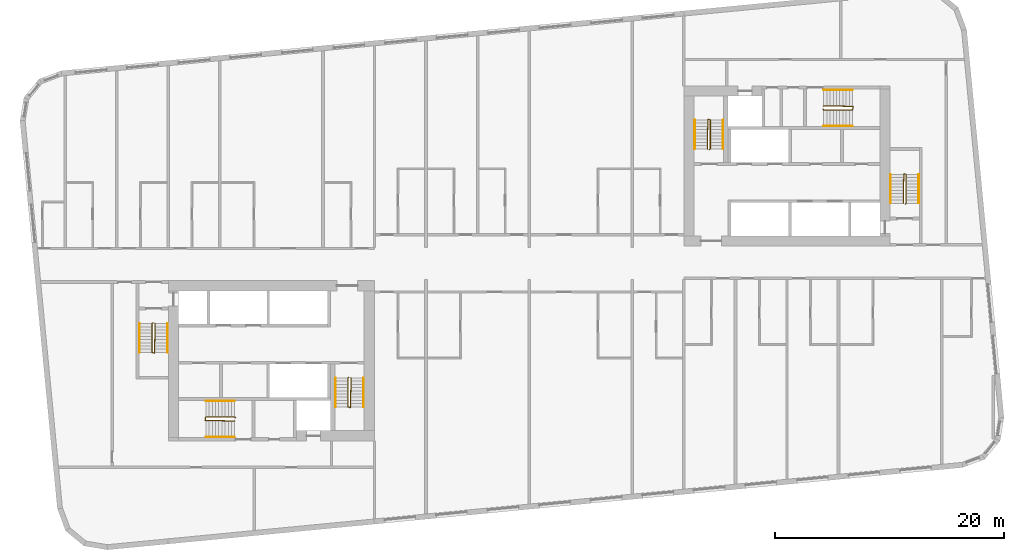
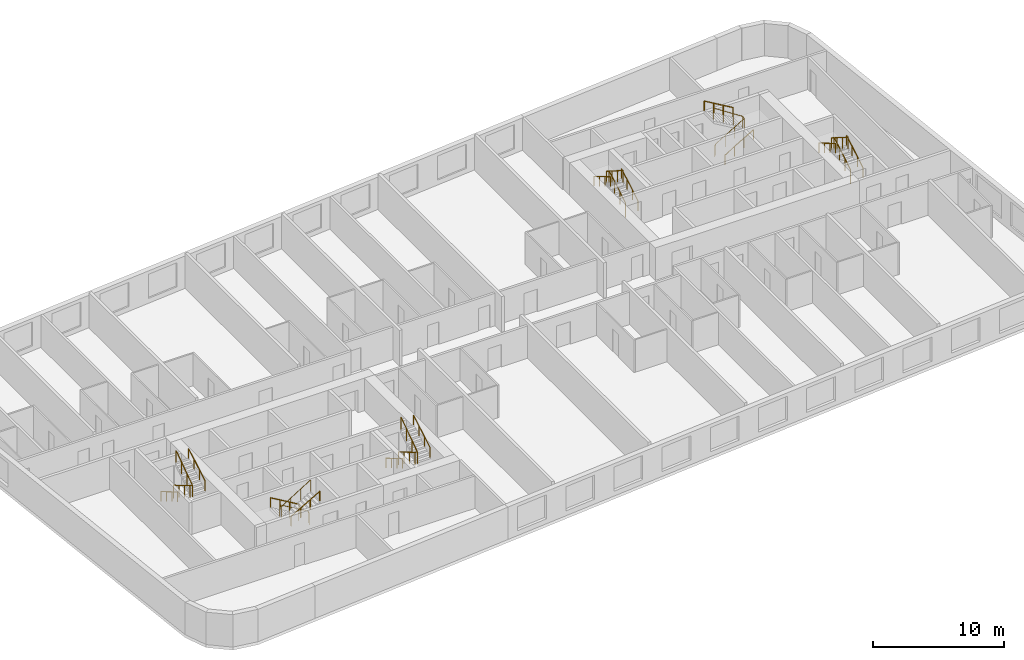
# One storey, part 12 of 12: 18 railings.
"""IFC4 building model written with IfcOpenShell, lengths in metres."""

from ifc_helpers import new_model, si_unit, direction, frame, origin, origin_2d, place, context, subcontext, project, spatial, circle, extrude, material, type_object, element, save


model = new_model("IFC4")

# Units and contexts
model_context = context("Model", 3, precision=1e-05, world=origin(), true_north=direction((0.0, 1.0)))
body_context = subcontext(model_context, "Body", "Model", "MODEL_VIEW")
ifc_project = project(units=[si_unit("LENGTHUNIT", "METRE"), si_unit("AREAUNIT", "SQUARE_METRE"), si_unit("VOLUMEUNIT", "CUBIC_METRE"), si_unit("PLANEANGLEUNIT", "RADIAN"), si_unit("MASSUNIT", "GRAM", prefix="KILO")], contexts=[model_context])

# Site, building, storey
site_placement = place(None, origin())
site = spatial("IfcSite", under=ifc_project, at=site_placement, CompositionType="ELEMENT")
building_placement = place(site_placement, origin())
building = spatial("IfcBuilding", under=site, at=building_placement, Name="Kajstack Hotel Tower", CompositionType="ELEMENT")
storey_placement = place(building_placement, frame((0.0, 0.0, 173.5)))
storey = spatial("IfcBuildingStorey", under=building, at=storey_placement, Name="L40", CompositionType="ELEMENT", Elevation=173.5)

# Railings
ifc_material = material(Name="Steel S355J2", Category="steel")
railing_type_1 = type_object("IfcRailingType", Name="Stair guard 1100", PredefinedType="GUARDRAIL", material=ifc_material)
railing_1_placement = place(storey_placement, frame((-32.85009765625, -5.199951171875, 0.0)))
element("IfcRailing", 1, at=railing_1_placement, inside=storey, type_object=railing_type_1, Name="L40 W1 stair guard 1", PredefinedType="GUARDRAIL", context=body_context, shape_type="SweptSolid", body=[
    extrude(circle(Radius=0.02392578125, at=origin_2d()), frame((0.0, 0.0, 1.076171875), z_axis=(-0.277450376394, -0.278810427259, 0.919394384522), x_axis=(0.708833529934, -0.705375805398, 0.0)), (0.0, 0.0, 1.0), 0.179443359375),
    extrude(circle(Radius=0.02392578125, at=origin_2d()), frame((-0.0498046875, -0.050048828125, 1.2412109375), z_axis=(0.0, -0.861560626758, 0.507654692109), x_axis=(1.0, 0.0, 0.0)), (0.0, 0.0, 1.0), 2.925048828125),
    extrude(circle(Radius=0.02392578125, at=origin_2d()), frame((-0.0498046875, -2.570068359375, 2.72607421875), z_axis=(0.970072785993, -0.242814311512, 0.0), x_axis=(0.242814311512, 0.970072785993, 0.0)), (0.0, 0.0, 1.0), 0.2060546875),
    extrude(circle(Radius=0.02392578125, at=origin_2d()), frame((0.150146484375, -2.6201171875, 2.72607421875), z_axis=(0.016384601254, 0.84136925563, 0.540212292087), x_axis=(-0.999810440751, 0.019470042781, 0.0)), (0.0, 0.0, 1.0), 3.0546875),
    extrude(circle(Radius=0.02099609375, at=origin_2d()), origin(), (0.0, 0.0, 1.0), 1.052001953125),
    extrude(circle(Radius=0.02099609375, at=origin_2d()), frame((-0.0498046875, -0.050048828125, 0.1650390625)), (0.0, 0.0, 1.0), 1.052001953125),
    extrude(circle(Radius=0.02099609375, at=origin_2d()), frame((-0.0498046875, -0.89013671875, 0.659912109375)), (0.0, 0.0, 1.0), 1.052001953125),
    extrude(circle(Radius=0.02099609375, at=origin_2d()), frame((-0.0498046875, -1.72998046875, 1.155029296875)), (0.0, 0.0, 1.0), 1.052001953125),
    extrude(circle(Radius=0.02099609375, at=origin_2d()), frame((-0.0498046875, -2.570068359375, 1.64990234375)), (0.0, 0.0, 1.0), 1.052001953125),
    extrude(circle(Radius=0.02099609375, at=origin_2d()), frame((0.150146484375, -2.6201171875, 1.64990234375)), (0.0, 0.0, 1.0), 1.052001953125),
    extrude(circle(Radius=0.02099609375, at=origin_2d()), frame((0.166748046875, -1.763427734375, 2.199951171875)), (0.0, 0.0, 1.0), 1.052001953125),
    extrude(circle(Radius=0.02099609375, at=origin_2d()), frame((0.18359375, -0.90673828125, 2.75)), (0.0, 0.0, 1.0), 1.052001953125),
    extrude(circle(Radius=0.02099609375, at=origin_2d()), frame((0.2001953125, -0.050048828125, 3.300048828125)), (0.0, 0.0, 1.0), 1.052001953125),
])
railing_2_placement = place(storey_placement, frame((-15.75, -9.949951171875, 0.0)))
element("IfcRailing", 2, at=railing_2_placement, inside=storey, type_object=railing_type_1, Name="L40 W2 stair guard 1", PredefinedType="GUARDRAIL", context=body_context, shape_type="SweptSolid", body=[
    extrude(circle(Radius=0.02392578125, at=origin_2d()), frame((0.0, 0.0, 1.076171875), z_axis=(-0.278705021027, -0.278705021027, 0.919046801044), x_axis=(0.707106781187, -0.707106781187, 0.0)), (0.0, 0.0, 1.0), 0.1796875),
    extrude(circle(Radius=0.02392578125, at=origin_2d()), frame((-0.050048828125, -0.050048828125, 1.2412109375), z_axis=(0.0, -0.861560626758, 0.507654692109), x_axis=(1.0, 0.0, 0.0)), (0.0, 0.0, 1.0), 2.925048828125),
    extrude(circle(Radius=0.02392578125, at=origin_2d()), frame((-0.050048828125, -2.570068359375, 2.72607421875), z_axis=(0.970072785993, -0.242814311512, 0.0), x_axis=(0.242814311512, 0.970072785993, 0.0)), (0.0, 0.0, 1.0), 0.2060546875),
    extrude(circle(Radius=0.02392578125, at=origin_2d()), frame((0.14990234375, -2.6201171875, 2.72607421875), z_axis=(0.016384601254, 0.84136925563, 0.540212292087), x_axis=(-0.999810440751, 0.019470042781, 0.0)), (0.0, 0.0, 1.0), 3.0546875),
    extrude(circle(Radius=0.02099609375, at=origin_2d()), origin(), (0.0, 0.0, 1.0), 1.052001953125),
    extrude(circle(Radius=0.02099609375, at=origin_2d()), frame((-0.050048828125, -0.050048828125, 0.1650390625)), (0.0, 0.0, 1.0), 1.052001953125),
    extrude(circle(Radius=0.02099609375, at=origin_2d()), frame((-0.050048828125, -0.89013671875, 0.659912109375)), (0.0, 0.0, 1.0), 1.052001953125),
    extrude(circle(Radius=0.02099609375, at=origin_2d()), frame((-0.050048828125, -1.72998046875, 1.155029296875)), (0.0, 0.0, 1.0), 1.052001953125),
    extrude(circle(Radius=0.02099609375, at=origin_2d()), frame((-0.050048828125, -2.570068359375, 1.64990234375)), (0.0, 0.0, 1.0), 1.052001953125),
    extrude(circle(Radius=0.02099609375, at=origin_2d()), frame((0.14990234375, -2.6201171875, 1.64990234375)), (0.0, 0.0, 1.0), 1.052001953125),
    extrude(circle(Radius=0.02099609375, at=origin_2d()), frame((0.16650390625, -1.763427734375, 2.199951171875)), (0.0, 0.0, 1.0), 1.052001953125),
    extrude(circle(Radius=0.02099609375, at=origin_2d()), frame((0.183349609375, -0.90673828125, 2.75)), (0.0, 0.0, 1.0), 1.052001953125),
    extrude(circle(Radius=0.02099609375, at=origin_2d()), frame((0.199951171875, -0.050048828125, 3.300048828125)), (0.0, 0.0, 1.0), 1.052001953125),
])
railing_3_placement = place(storey_placement, frame((-25.64990234375, -13.449951171875, 0.0)))
element("IfcRailing", 3, at=railing_3_placement, inside=storey, type_object=railing_type_1, Name="L40 W3 stair guard 1", PredefinedType="GUARDRAIL", context=body_context, shape_type="SweptSolid", body=[
    extrude(circle(Radius=0.02392578125, at=origin_2d()), frame((0.0, 0.0, 1.076171875), z_axis=(-0.278705021027, 0.278705021027, 0.919046801044), x_axis=(-0.707106781187, -0.707106781187, 0.0)), (0.0, 0.0, 1.0), 0.1796875),
    extrude(circle(Radius=0.02392578125, at=origin_2d()), frame((-0.050048828125, 0.050048828125, 1.2412109375), z_axis=(-0.861560626758, 0.0, 0.507654692109), x_axis=(0.0, -1.0, 0.0)), (0.0, 0.0, 1.0), 2.925048828125),
    extrude(circle(Radius=0.02392578125, at=origin_2d()), frame((-2.570068359375, 0.050048828125, 2.72607421875), z_axis=(-0.164529134168, -0.986372223864, 0.0), x_axis=(0.986372223864, -0.164529134168, 0.0)), (0.0, 0.0, 1.0), 0.30419921875),
    extrude(circle(Radius=0.02392578125, at=origin_2d()), frame((-2.6201171875, -0.25, 2.72607421875), z_axis=(0.84136925563, -0.016384601254, 0.540212292087), x_axis=(0.019470042781, 0.999810440751, 0.0)), (0.0, 0.0, 1.0), 3.0546875),
    extrude(circle(Radius=0.02099609375, at=origin_2d()), origin(), (0.0, 0.0, 1.0), 1.052001953125),
    extrude(circle(Radius=0.02099609375, at=origin_2d()), frame((-0.050048828125, 0.050048828125, 0.1650390625)), (0.0, 0.0, 1.0), 1.052001953125),
    extrude(circle(Radius=0.02099609375, at=origin_2d()), frame((-0.89013671875, 0.050048828125, 0.659912109375)), (0.0, 0.0, 1.0), 1.052001953125),
    extrude(circle(Radius=0.02099609375, at=origin_2d()), frame((-1.72998046875, 0.050048828125, 1.155029296875)), (0.0, 0.0, 1.0), 1.052001953125),
    extrude(circle(Radius=0.02099609375, at=origin_2d()), frame((-2.570068359375, 0.050048828125, 1.64990234375)), (0.0, 0.0, 1.0), 1.052001953125),
    extrude(circle(Radius=0.02099609375, at=origin_2d()), frame((-2.6201171875, -0.25, 1.64990234375)), (0.0, 0.0, 1.0), 1.052001953125),
    extrude(circle(Radius=0.02099609375, at=origin_2d()), frame((-1.763427734375, -0.2666015625, 2.199951171875)), (0.0, 0.0, 1.0), 1.052001953125),
    extrude(circle(Radius=0.02099609375, at=origin_2d()), frame((-0.90673828125, -0.283447265625, 2.75)), (0.0, 0.0, 1.0), 1.052001953125),
    extrude(circle(Radius=0.02099609375, at=origin_2d()), frame((-0.050048828125, -0.300048828125, 3.300048828125)), (0.0, 0.0, 1.0), 1.052001953125),
])
railing_4_placement = place(storey_placement, frame((32.85009765625, 5.199951171875, 0.0)))
element("IfcRailing", 4, at=railing_4_placement, inside=storey, type_object=railing_type_1, Name="L40 E1 stair guard 1", PredefinedType="GUARDRAIL", context=body_context, shape_type="SweptSolid", body=[
    extrude(circle(Radius=0.02392578125, at=origin_2d()), frame((0.0, 0.0, 1.076171875), z_axis=(0.277450376394, 0.278810427259, 0.919394384522), x_axis=(-0.708833529934, 0.705375805398, 0.0)), (0.0, 0.0, 1.0), 0.179443359375),
    extrude(circle(Radius=0.02392578125, at=origin_2d()), frame((0.0498046875, 0.050048828125, 1.2412109375), z_axis=(0.0, 0.861560626758, 0.507654692109), x_axis=(-1.0, 0.0, 0.0)), (0.0, 0.0, 1.0), 2.925048828125),
    extrude(circle(Radius=0.02392578125, at=origin_2d()), frame((0.0498046875, 2.570068359375, 2.72607421875), z_axis=(-0.970072785993, 0.242814311512, 0.0), x_axis=(-0.242814311512, -0.970072785993, 0.0)), (0.0, 0.0, 1.0), 0.2060546875),
    extrude(circle(Radius=0.02392578125, at=origin_2d()), frame((-0.150146484375, 2.6201171875, 2.72607421875), z_axis=(-0.016384601254, -0.84136925563, 0.540212292087), x_axis=(0.999810440751, -0.019470042781, 0.0)), (0.0, 0.0, 1.0), 3.0546875),
    extrude(circle(Radius=0.02099609375, at=origin_2d()), origin(), (0.0, 0.0, 1.0), 1.052001953125),
    extrude(circle(Radius=0.02099609375, at=origin_2d()), frame((0.0498046875, 0.050048828125, 0.1650390625)), (0.0, 0.0, 1.0), 1.052001953125),
    extrude(circle(Radius=0.02099609375, at=origin_2d()), frame((0.0498046875, 0.89013671875, 0.659912109375)), (0.0, 0.0, 1.0), 1.052001953125),
    extrude(circle(Radius=0.02099609375, at=origin_2d()), frame((0.0498046875, 1.72998046875, 1.155029296875)), (0.0, 0.0, 1.0), 1.052001953125),
    extrude(circle(Radius=0.02099609375, at=origin_2d()), frame((0.0498046875, 2.570068359375, 1.64990234375)), (0.0, 0.0, 1.0), 1.052001953125),
    extrude(circle(Radius=0.02099609375, at=origin_2d()), frame((-0.150146484375, 2.6201171875, 1.64990234375)), (0.0, 0.0, 1.0), 1.052001953125),
    extrude(circle(Radius=0.02099609375, at=origin_2d()), frame((-0.166748046875, 1.763427734375, 2.199951171875)), (0.0, 0.0, 1.0), 1.052001953125),
    extrude(circle(Radius=0.02099609375, at=origin_2d()), frame((-0.18359375, 0.90673828125, 2.75)), (0.0, 0.0, 1.0), 1.052001953125),
    extrude(circle(Radius=0.02099609375, at=origin_2d()), frame((-0.2001953125, 0.050048828125, 3.300048828125)), (0.0, 0.0, 1.0), 1.052001953125),
])
railing_5_placement = place(storey_placement, frame((15.75, 9.949951171875, 0.0)))
element("IfcRailing", 5, at=railing_5_placement, inside=storey, type_object=railing_type_1, Name="L40 E2 stair guard 1", PredefinedType="GUARDRAIL", context=body_context, shape_type="SweptSolid", body=[
    extrude(circle(Radius=0.02392578125, at=origin_2d()), frame((0.0, 0.0, 1.076171875), z_axis=(0.278705021027, 0.278705021027, 0.919046801044), x_axis=(-0.707106781187, 0.707106781187, 0.0)), (0.0, 0.0, 1.0), 0.1796875),
    extrude(circle(Radius=0.02392578125, at=origin_2d()), frame((0.050048828125, 0.050048828125, 1.2412109375), z_axis=(0.0, 0.861560626758, 0.507654692109), x_axis=(-1.0, 0.0, 0.0)), (0.0, 0.0, 1.0), 2.925048828125),
    extrude(circle(Radius=0.02392578125, at=origin_2d()), frame((0.050048828125, 2.570068359375, 2.72607421875), z_axis=(-0.970072785993, 0.242814311512, 0.0), x_axis=(-0.242814311512, -0.970072785993, 0.0)), (0.0, 0.0, 1.0), 0.2060546875),
    extrude(circle(Radius=0.02392578125, at=origin_2d()), frame((-0.14990234375, 2.6201171875, 2.72607421875), z_axis=(-0.016384601254, -0.84136925563, 0.540212292087), x_axis=(0.999810440751, -0.019470042781, 0.0)), (0.0, 0.0, 1.0), 3.0546875),
    extrude(circle(Radius=0.02099609375, at=origin_2d()), origin(), (0.0, 0.0, 1.0), 1.052001953125),
    extrude(circle(Radius=0.02099609375, at=origin_2d()), frame((0.050048828125, 0.050048828125, 0.1650390625)), (0.0, 0.0, 1.0), 1.052001953125),
    extrude(circle(Radius=0.02099609375, at=origin_2d()), frame((0.050048828125, 0.89013671875, 0.659912109375)), (0.0, 0.0, 1.0), 1.052001953125),
    extrude(circle(Radius=0.02099609375, at=origin_2d()), frame((0.050048828125, 1.72998046875, 1.155029296875)), (0.0, 0.0, 1.0), 1.052001953125),
    extrude(circle(Radius=0.02099609375, at=origin_2d()), frame((0.050048828125, 2.570068359375, 1.64990234375)), (0.0, 0.0, 1.0), 1.052001953125),
    extrude(circle(Radius=0.02099609375, at=origin_2d()), frame((-0.14990234375, 2.6201171875, 1.64990234375)), (0.0, 0.0, 1.0), 1.052001953125),
    extrude(circle(Radius=0.02099609375, at=origin_2d()), frame((-0.16650390625, 1.763427734375, 2.199951171875)), (0.0, 0.0, 1.0), 1.052001953125),
    extrude(circle(Radius=0.02099609375, at=origin_2d()), frame((-0.183349609375, 0.90673828125, 2.75)), (0.0, 0.0, 1.0), 1.052001953125),
    extrude(circle(Radius=0.02099609375, at=origin_2d()), frame((-0.199951171875, 0.050048828125, 3.300048828125)), (0.0, 0.0, 1.0), 1.052001953125),
])
railing_6_placement = place(storey_placement, frame((25.64990234375, 13.449951171875, 0.0)))
element("IfcRailing", 6, at=railing_6_placement, inside=storey, type_object=railing_type_1, Name="L40 E3 stair guard 1", PredefinedType="GUARDRAIL", context=body_context, shape_type="SweptSolid", body=[
    extrude(circle(Radius=0.02392578125, at=origin_2d()), frame((0.0, 0.0, 1.076171875), z_axis=(0.278705021027, -0.278705021027, 0.919046801044), x_axis=(0.707106781187, 0.707106781187, 0.0)), (0.0, 0.0, 1.0), 0.1796875),
    extrude(circle(Radius=0.02392578125, at=origin_2d()), frame((0.050048828125, -0.050048828125, 1.2412109375), z_axis=(0.861560626758, 0.0, 0.507654692109), x_axis=(0.0, 1.0, 0.0)), (0.0, 0.0, 1.0), 2.925048828125),
    extrude(circle(Radius=0.02392578125, at=origin_2d()), frame((2.570068359375, -0.050048828125, 2.72607421875), z_axis=(0.164529134168, 0.986372223864, 0.0), x_axis=(-0.986372223864, 0.164529134168, 0.0)), (0.0, 0.0, 1.0), 0.30419921875),
    extrude(circle(Radius=0.02392578125, at=origin_2d()), frame((2.6201171875, 0.25, 2.72607421875), z_axis=(-0.84136925563, 0.016384601254, 0.540212292087), x_axis=(-0.019470042781, -0.999810440751, 0.0)), (0.0, 0.0, 1.0), 3.0546875),
    extrude(circle(Radius=0.02099609375, at=origin_2d()), origin(), (0.0, 0.0, 1.0), 1.052001953125),
    extrude(circle(Radius=0.02099609375, at=origin_2d()), frame((0.050048828125, -0.050048828125, 0.1650390625)), (0.0, 0.0, 1.0), 1.052001953125),
    extrude(circle(Radius=0.02099609375, at=origin_2d()), frame((0.89013671875, -0.050048828125, 0.659912109375)), (0.0, 0.0, 1.0), 1.052001953125),
    extrude(circle(Radius=0.02099609375, at=origin_2d()), frame((1.72998046875, -0.050048828125, 1.155029296875)), (0.0, 0.0, 1.0), 1.052001953125),
    extrude(circle(Radius=0.02099609375, at=origin_2d()), frame((2.570068359375, -0.050048828125, 1.64990234375)), (0.0, 0.0, 1.0), 1.052001953125),
    extrude(circle(Radius=0.02099609375, at=origin_2d()), frame((2.6201171875, 0.25, 1.64990234375)), (0.0, 0.0, 1.0), 1.052001953125),
    extrude(circle(Radius=0.02099609375, at=origin_2d()), frame((1.763427734375, 0.2666015625, 2.199951171875)), (0.0, 0.0, 1.0), 1.052001953125),
    extrude(circle(Radius=0.02099609375, at=origin_2d()), frame((0.90673828125, 0.283447265625, 2.75)), (0.0, 0.0, 1.0), 1.052001953125),
    extrude(circle(Radius=0.02099609375, at=origin_2d()), frame((0.050048828125, 0.300048828125, 3.300048828125)), (0.0, 0.0, 1.0), 1.052001953125),
])
railing_type_2 = type_object("IfcRailingType", Name="Stair handrail 900", PredefinedType="HANDRAIL", material=ifc_material)
railing_7_placement = place(storey_placement, frame((-34.0, -5.25, 0.1650390625)))
element("IfcRailing", 7, at=railing_7_placement, inside=storey, type_object=railing_type_2, Name="L40 W1 stair handrail 1", PredefinedType="HANDRAIL", context=body_context, shape_type="SweptSolid", body=[
    extrude(circle(Radius=0.02392578125, at=origin_2d()), frame((0.0, 0.0, 0.8759765625), z_axis=(0.0, -0.861560626758, 0.507654692109), x_axis=(1.0, 0.0, 0.0)), (0.0, 0.0, 1.0), 2.925048828125),
    extrude(circle(Radius=0.02099609375, at=origin_2d()), origin(), (0.0, 0.0, 1.0), 0.851806640625),
    extrude(circle(Radius=0.02099609375, at=origin_2d()), frame((0.0, -0.840087890625, 0.494873046875)), (0.0, 0.0, 1.0), 0.851806640625),
    extrude(circle(Radius=0.02099609375, at=origin_2d()), frame((0.0, -1.679931640625, 0.989990234375)), (0.0, 0.0, 1.0), 0.851806640625),
    extrude(circle(Radius=0.02099609375, at=origin_2d()), frame((0.0, -2.52001953125, 1.48486328125)), (0.0, 0.0, 1.0), 0.851806640625),
])
railing_8_placement = place(storey_placement, frame((-31.550048828125, -7.77001953125, 1.81494140625)))
element("IfcRailing", 8, at=railing_8_placement, inside=storey, type_object=railing_type_2, Name="L40 W1 stair handrail 2", PredefinedType="HANDRAIL", context=body_context, shape_type="SweptSolid", body=[
    extrude(circle(Radius=0.02392578125, at=origin_2d()), frame((0.0, 0.0, 0.8759765625), z_axis=(0.0, 0.86152411907, 0.507716645641), x_axis=(-1.0, 0.0, 0.0)), (0.0, 0.0, 1.0), 2.925048828125),
    extrude(circle(Radius=0.02099609375, at=origin_2d()), origin(), (0.0, 0.0, 1.0), 0.851806640625),
    extrude(circle(Radius=0.02099609375, at=origin_2d()), frame((0.0, 0.840087890625, 0.4951171875)), (0.0, 0.0, 1.0), 0.851806640625),
    extrude(circle(Radius=0.02099609375, at=origin_2d()), frame((0.0, 1.679931640625, 0.989990234375)), (0.0, 0.0, 1.0), 0.851806640625),
    extrude(circle(Radius=0.02099609375, at=origin_2d()), frame((0.0, 2.52001953125, 1.485107421875)), (0.0, 0.0, 1.0), 0.851806640625),
])
railing_9_placement = place(storey_placement, frame((-16.89990234375, -10.0, 0.1650390625)))
element("IfcRailing", 9, at=railing_9_placement, inside=storey, type_object=railing_type_2, Name="L40 W2 stair handrail 1", PredefinedType="HANDRAIL", context=body_context, shape_type="SweptSolid", body=[
    extrude(circle(Radius=0.02392578125, at=origin_2d()), frame((0.0, 0.0, 0.8759765625), z_axis=(0.0, -0.861560626758, 0.507654692109), x_axis=(1.0, 0.0, 0.0)), (0.0, 0.0, 1.0), 2.925048828125),
    extrude(circle(Radius=0.02099609375, at=origin_2d()), origin(), (0.0, 0.0, 1.0), 0.851806640625),
    extrude(circle(Radius=0.02099609375, at=origin_2d()), frame((0.0, -0.840087890625, 0.494873046875)), (0.0, 0.0, 1.0), 0.851806640625),
    extrude(circle(Radius=0.02099609375, at=origin_2d()), frame((0.0, -1.679931640625, 0.989990234375)), (0.0, 0.0, 1.0), 0.851806640625),
    extrude(circle(Radius=0.02099609375, at=origin_2d()), frame((0.0, -2.52001953125, 1.48486328125)), (0.0, 0.0, 1.0), 0.851806640625),
])
railing_10_placement = place(storey_placement, frame((-14.449951171875, -12.52001953125, 1.81494140625)))
element("IfcRailing", 10, at=railing_10_placement, inside=storey, type_object=railing_type_2, Name="L40 W2 stair handrail 2", PredefinedType="HANDRAIL", context=body_context, shape_type="SweptSolid", body=[
    extrude(circle(Radius=0.02392578125, at=origin_2d()), frame((0.0, 0.0, 0.8759765625), z_axis=(0.0, 0.86152411907, 0.507716645641), x_axis=(-1.0, 0.0, 0.0)), (0.0, 0.0, 1.0), 2.925048828125),
    extrude(circle(Radius=0.02099609375, at=origin_2d()), origin(), (0.0, 0.0, 1.0), 0.851806640625),
    extrude(circle(Radius=0.02099609375, at=origin_2d()), frame((0.0, 0.840087890625, 0.4951171875)), (0.0, 0.0, 1.0), 0.851806640625),
    extrude(circle(Radius=0.02099609375, at=origin_2d()), frame((0.0, 1.679931640625, 0.989990234375)), (0.0, 0.0, 1.0), 0.851806640625),
    extrude(circle(Radius=0.02099609375, at=origin_2d()), frame((0.0, 2.52001953125, 1.485107421875)), (0.0, 0.0, 1.0), 0.851806640625),
])
railing_11_placement = place(storey_placement, frame((-25.699951171875, -12.0, 0.1650390625)))
element("IfcRailing", 11, at=railing_11_placement, inside=storey, type_object=railing_type_2, Name="L40 W3 stair handrail 1", PredefinedType="HANDRAIL", context=body_context, shape_type="SweptSolid", body=[
    extrude(circle(Radius=0.02392578125, at=origin_2d()), frame((0.0, 0.0, 0.8759765625), z_axis=(-0.861560626758, 0.0, 0.507654692109), x_axis=(0.0, -1.0, 0.0)), (0.0, 0.0, 1.0), 2.925048828125),
    extrude(circle(Radius=0.02099609375, at=origin_2d()), origin(), (0.0, 0.0, 1.0), 0.851806640625),
    extrude(circle(Radius=0.02099609375, at=origin_2d()), frame((-0.840087890625, 0.0, 0.494873046875)), (0.0, 0.0, 1.0), 0.851806640625),
    extrude(circle(Radius=0.02099609375, at=origin_2d()), frame((-1.679931640625, 0.0, 0.989990234375)), (0.0, 0.0, 1.0), 0.851806640625),
    extrude(circle(Radius=0.02099609375, at=origin_2d()), frame((-2.52001953125, 0.0, 1.48486328125)), (0.0, 0.0, 1.0), 0.851806640625),
])
railing_12_placement = place(storey_placement, frame((-28.219970703125, -15.14990234375, 1.81494140625)))
element("IfcRailing", 12, at=railing_12_placement, inside=storey, type_object=railing_type_2, Name="L40 W3 stair handrail 2", PredefinedType="HANDRAIL", context=body_context, shape_type="SweptSolid", body=[
    extrude(circle(Radius=0.02392578125, at=origin_2d()), frame((0.0, 0.0, 0.8759765625), z_axis=(0.86152411907, 0.0, 0.507716645641), x_axis=(0.0, 1.0, 0.0)), (0.0, 0.0, 1.0), 2.925048828125),
    extrude(circle(Radius=0.02099609375, at=origin_2d()), origin(), (0.0, 0.0, 1.0), 0.851806640625),
    extrude(circle(Radius=0.02099609375, at=origin_2d()), frame((0.840087890625, 0.0, 0.4951171875)), (0.0, 0.0, 1.0), 0.851806640625),
    extrude(circle(Radius=0.02099609375, at=origin_2d()), frame((1.679931640625, 0.0, 0.989990234375)), (0.0, 0.0, 1.0), 0.851806640625),
    extrude(circle(Radius=0.02099609375, at=origin_2d()), frame((2.52001953125, 0.0, 1.485107421875)), (0.0, 0.0, 1.0), 0.851806640625),
])
railing_13_placement = place(storey_placement, frame((34.0, 5.25, 0.1650390625)))
element("IfcRailing", 13, at=railing_13_placement, inside=storey, type_object=railing_type_2, Name="L40 E1 stair handrail 1", PredefinedType="HANDRAIL", context=body_context, shape_type="SweptSolid", body=[
    extrude(circle(Radius=0.02392578125, at=origin_2d()), frame((0.0, 0.0, 0.8759765625), z_axis=(0.0, 0.861560626758, 0.507654692109), x_axis=(-1.0, 0.0, 0.0)), (0.0, 0.0, 1.0), 2.925048828125),
    extrude(circle(Radius=0.02099609375, at=origin_2d()), origin(), (0.0, 0.0, 1.0), 0.851806640625),
    extrude(circle(Radius=0.02099609375, at=origin_2d()), frame((0.0, 0.840087890625, 0.494873046875)), (0.0, 0.0, 1.0), 0.851806640625),
    extrude(circle(Radius=0.02099609375, at=origin_2d()), frame((0.0, 1.679931640625, 0.989990234375)), (0.0, 0.0, 1.0), 0.851806640625),
    extrude(circle(Radius=0.02099609375, at=origin_2d()), frame((0.0, 2.52001953125, 1.48486328125)), (0.0, 0.0, 1.0), 0.851806640625),
])
railing_14_placement = place(storey_placement, frame((31.550048828125, 7.77001953125, 1.81494140625)))
element("IfcRailing", 14, at=railing_14_placement, inside=storey, type_object=railing_type_2, Name="L40 E1 stair handrail 2", PredefinedType="HANDRAIL", context=body_context, shape_type="SweptSolid", body=[
    extrude(circle(Radius=0.02392578125, at=origin_2d()), frame((0.0, 0.0, 0.8759765625), z_axis=(0.0, -0.86152411907, 0.507716645641), x_axis=(1.0, 0.0, 0.0)), (0.0, 0.0, 1.0), 2.925048828125),
    extrude(circle(Radius=0.02099609375, at=origin_2d()), origin(), (0.0, 0.0, 1.0), 0.851806640625),
    extrude(circle(Radius=0.02099609375, at=origin_2d()), frame((0.0, -0.840087890625, 0.4951171875)), (0.0, 0.0, 1.0), 0.851806640625),
    extrude(circle(Radius=0.02099609375, at=origin_2d()), frame((0.0, -1.679931640625, 0.989990234375)), (0.0, 0.0, 1.0), 0.851806640625),
    extrude(circle(Radius=0.02099609375, at=origin_2d()), frame((0.0, -2.52001953125, 1.485107421875)), (0.0, 0.0, 1.0), 0.851806640625),
])
railing_15_placement = place(storey_placement, frame((16.89990234375, 10.0, 0.1650390625)))
element("IfcRailing", 15, at=railing_15_placement, inside=storey, type_object=railing_type_2, Name="L40 E2 stair handrail 1", PredefinedType="HANDRAIL", context=body_context, shape_type="SweptSolid", body=[
    extrude(circle(Radius=0.02392578125, at=origin_2d()), frame((0.0, 0.0, 0.8759765625), z_axis=(0.0, 0.861560626758, 0.507654692109), x_axis=(-1.0, 0.0, 0.0)), (0.0, 0.0, 1.0), 2.925048828125),
    extrude(circle(Radius=0.02099609375, at=origin_2d()), origin(), (0.0, 0.0, 1.0), 0.851806640625),
    extrude(circle(Radius=0.02099609375, at=origin_2d()), frame((0.0, 0.840087890625, 0.494873046875)), (0.0, 0.0, 1.0), 0.851806640625),
    extrude(circle(Radius=0.02099609375, at=origin_2d()), frame((0.0, 1.679931640625, 0.989990234375)), (0.0, 0.0, 1.0), 0.851806640625),
    extrude(circle(Radius=0.02099609375, at=origin_2d()), frame((0.0, 2.52001953125, 1.48486328125)), (0.0, 0.0, 1.0), 0.851806640625),
])
railing_16_placement = place(storey_placement, frame((14.449951171875, 12.52001953125, 1.81494140625)))
element("IfcRailing", 16, at=railing_16_placement, inside=storey, type_object=railing_type_2, Name="L40 E2 stair handrail 2", PredefinedType="HANDRAIL", context=body_context, shape_type="SweptSolid", body=[
    extrude(circle(Radius=0.02392578125, at=origin_2d()), frame((0.0, 0.0, 0.8759765625), z_axis=(0.0, -0.86152411907, 0.507716645641), x_axis=(1.0, 0.0, 0.0)), (0.0, 0.0, 1.0), 2.925048828125),
    extrude(circle(Radius=0.02099609375, at=origin_2d()), origin(), (0.0, 0.0, 1.0), 0.851806640625),
    extrude(circle(Radius=0.02099609375, at=origin_2d()), frame((0.0, -0.840087890625, 0.4951171875)), (0.0, 0.0, 1.0), 0.851806640625),
    extrude(circle(Radius=0.02099609375, at=origin_2d()), frame((0.0, -1.679931640625, 0.989990234375)), (0.0, 0.0, 1.0), 0.851806640625),
    extrude(circle(Radius=0.02099609375, at=origin_2d()), frame((0.0, -2.52001953125, 1.485107421875)), (0.0, 0.0, 1.0), 0.851806640625),
])
railing_17_placement = place(storey_placement, frame((25.699951171875, 12.0, 0.1650390625)))
element("IfcRailing", 17, at=railing_17_placement, inside=storey, type_object=railing_type_2, Name="L40 E3 stair handrail 1", PredefinedType="HANDRAIL", context=body_context, shape_type="SweptSolid", body=[
    extrude(circle(Radius=0.02392578125, at=origin_2d()), frame((0.0, 0.0, 0.8759765625), z_axis=(0.861560626758, 0.0, 0.507654692109), x_axis=(0.0, 1.0, 0.0)), (0.0, 0.0, 1.0), 2.925048828125),
    extrude(circle(Radius=0.02099609375, at=origin_2d()), origin(), (0.0, 0.0, 1.0), 0.851806640625),
    extrude(circle(Radius=0.02099609375, at=origin_2d()), frame((0.840087890625, 0.0, 0.494873046875)), (0.0, 0.0, 1.0), 0.851806640625),
    extrude(circle(Radius=0.02099609375, at=origin_2d()), frame((1.679931640625, 0.0, 0.989990234375)), (0.0, 0.0, 1.0), 0.851806640625),
    extrude(circle(Radius=0.02099609375, at=origin_2d()), frame((2.52001953125, 0.0, 1.48486328125)), (0.0, 0.0, 1.0), 0.851806640625),
])
railing_18_placement = place(storey_placement, frame((28.219970703125, 15.14990234375, 1.81494140625)))
element("IfcRailing", 18, at=railing_18_placement, inside=storey, type_object=railing_type_2, Name="L40 E3 stair handrail 2", PredefinedType="HANDRAIL", context=body_context, shape_type="SweptSolid", body=[
    extrude(circle(Radius=0.02392578125, at=origin_2d()), frame((0.0, 0.0, 0.8759765625), z_axis=(-0.86152411907, 0.0, 0.507716645641), x_axis=(0.0, -1.0, 0.0)), (0.0, 0.0, 1.0), 2.925048828125),
    extrude(circle(Radius=0.02099609375, at=origin_2d()), origin(), (0.0, 0.0, 1.0), 0.851806640625),
    extrude(circle(Radius=0.02099609375, at=origin_2d()), frame((-0.840087890625, 0.0, 0.4951171875)), (0.0, 0.0, 1.0), 0.851806640625),
    extrude(circle(Radius=0.02099609375, at=origin_2d()), frame((-1.679931640625, 0.0, 0.989990234375)), (0.0, 0.0, 1.0), 0.851806640625),
    extrude(circle(Radius=0.02099609375, at=origin_2d()), frame((-2.52001953125, 0.0, 1.485107421875)), (0.0, 0.0, 1.0), 0.851806640625),
])

save(model, "model.ifc")
